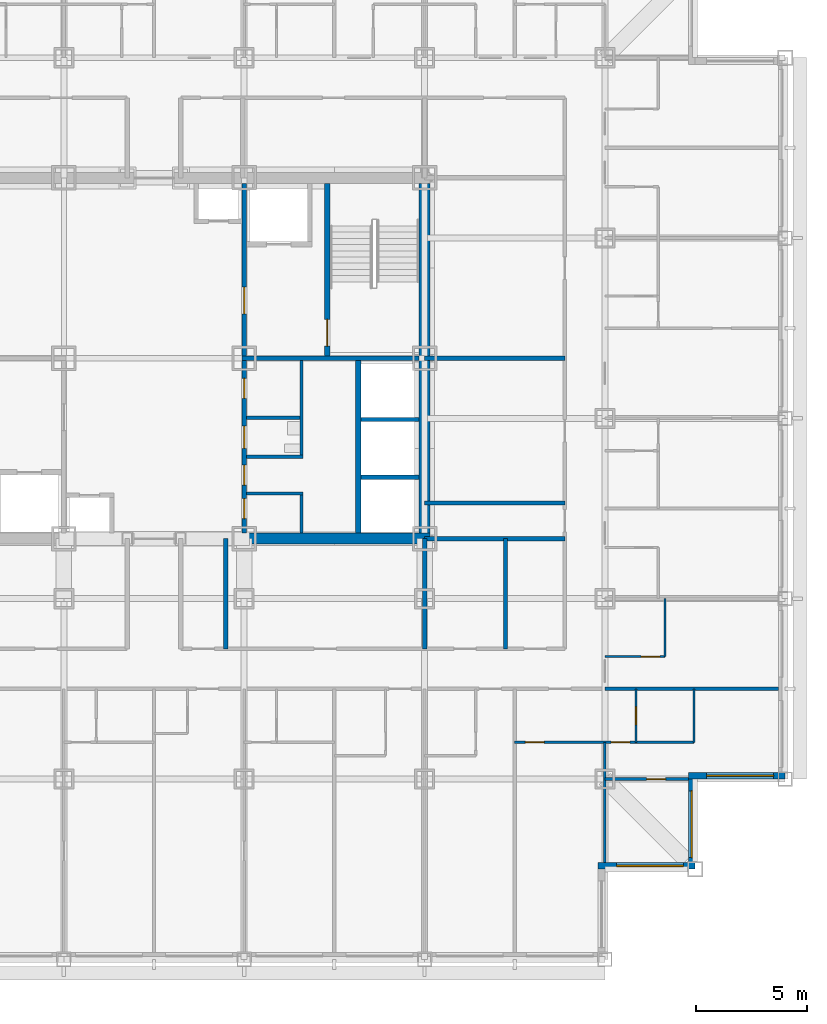
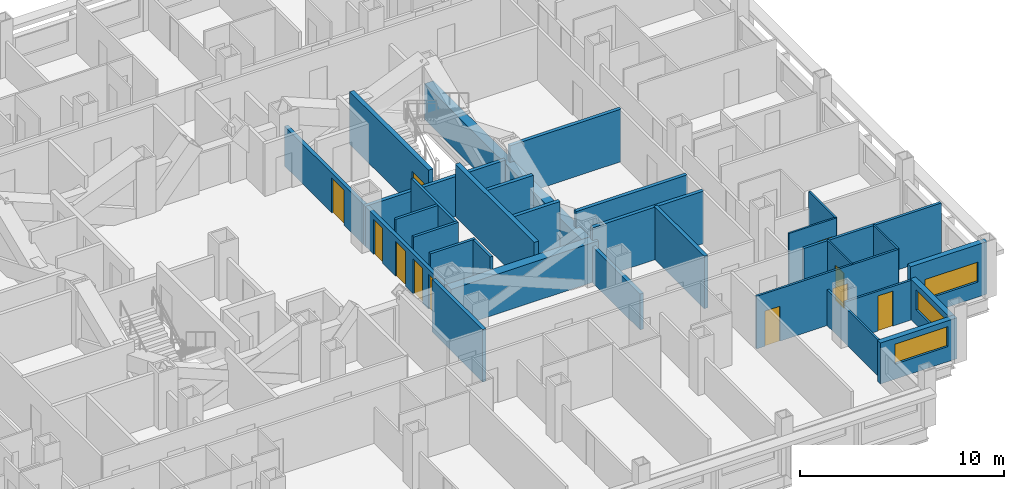
# One storey, part 8 of 15: 31 walls, 11 doors, 3 windows, 14 openings.
"""IFC4 building model written with IfcOpenShell, lengths in metres."""

import ifcopenshell
import ifcopenshell.guid

model = None  # the IFC model being written
_history = None  # IfcOwnerHistory: only IFC2X3 demands one
_inside = {}  # id of a spatial element -> (the spatial element, [elements in it])
_under = {}  # id of a project, library or spatial element -> (it, [spatial elements below it])
_declared = {}  # id of a project -> (the project, [libraries it declares])
_typed = {}  # id of a type object -> (the type object, [elements of that type])
_made_of = {}  # id of a material, layer set ... -> (it, [elements and type objects made of it])


def new_model(schema):
    """Start an empty IFC model of exactly this schema.

    Asked for "IFC4X3", IfcOpenShell would pick the latest addendum, in which some entities
    have other attributes; the version numbers below select the first issue.
    IFC2X3 requires an IfcOwnerHistory on every rooted entity: one is made here for all.
    """
    global model, _history
    if schema == "IFC4X3":
        model = ifcopenshell.file(schema_version=(4, 3, 0, 0))
    else:
        model = ifcopenshell.file(schema=schema)
    _inside.clear()
    _under.clear()
    _declared.clear()
    _typed.clear()
    _made_of.clear()
    _history = None
    if model.schema == "IFC2X3":
        org = make("IfcOrganization", Name="unknown")
        user = make(
            "IfcPersonAndOrganization",
            ThePerson=make("IfcPerson", FamilyName="unknown"),
            TheOrganization=org,
        )
        app = make(
            "IfcApplication",
            ApplicationDeveloper=org,
            Version="unknown",
            ApplicationFullName="unknown",
            ApplicationIdentifier="unknown",
        )
        _history = make(
            "IfcOwnerHistory",
            OwningUser=user,
            OwningApplication=app,
            ChangeAction="ADDED",
            CreationDate=0,
        )
    return model


def make(cls, **values):
    """One entity of the class cls with the attributes given. An attribute that is None is left unset."""
    return model.create_entity(
        cls, **{name: value for name, value in values.items() if value is not None}
    )


def rooted(cls, **values):
    """An entity with a GlobalId (a new one), such as an element, a storey or a relation."""
    return make(cls, GlobalId=ifcopenshell.guid.new(), OwnerHistory=_history, **values)


def si_unit(unit_type, name, prefix=None):
    """IfcSIUnit, for example si_unit("LENGTHUNIT", "METRE", prefix="MILLI")."""
    return make("IfcSIUnit", UnitType=unit_type, Prefix=prefix, Name=name)


def assignment(units):
    """IfcUnitAssignment: the units of a project."""
    return None if units is None else make("IfcUnitAssignment", Units=units)


def point(xyz):
    """IfcCartesianPoint."""
    return None if xyz is None else make("IfcCartesianPoint", Coordinates=xyz)


def direction(xyz):
    """IfcDirection."""
    return None if xyz is None else make("IfcDirection", DirectionRatios=xyz)


def frame(location, z_axis=None, x_axis=None):
    """IfcAxis2Placement3D, a coordinate frame: its origin and axes. An axis left out is left unset."""
    return make(
        "IfcAxis2Placement3D",
        Location=point(location),
        Axis=direction(z_axis),
        RefDirection=direction(x_axis),
    )


def frame_2d(location, x_axis=None):
    """IfcAxis2Placement2D, a coordinate frame in the plane: its origin and x axis."""
    return make(
        "IfcAxis2Placement2D", Location=point(location), RefDirection=direction(x_axis)
    )


def origin():
    """The frame at (0, 0, 0) with its axes left unset."""
    return frame((0.0, 0.0, 0.0))


def place(relative_to, where):
    """IfcLocalPlacement: puts the frame where relative to a parent placement (None: the world)."""
    return make(
        "IfcLocalPlacement", PlacementRelTo=relative_to, RelativePlacement=where
    )


def context(
    kind, dimensions, precision=None, world=None, true_north=None, identifier=None
):
    """IfcGeometricRepresentationContext, for example the 3D "Model" context."""
    return make(
        "IfcGeometricRepresentationContext",
        ContextIdentifier=identifier,
        ContextType=kind,
        CoordinateSpaceDimension=dimensions,
        Precision=precision,
        WorldCoordinateSystem=world,
        TrueNorth=true_north,
    )


def subcontext(parent, identifier, kind, view, scale=None):
    """IfcGeometricRepresentationSubContext, for example "Body" below "Model"."""
    return make(
        "IfcGeometricRepresentationSubContext",
        ContextIdentifier=identifier,
        ContextType=kind,
        ParentContext=parent,
        TargetScale=scale,
        TargetView=view,
    )


def project(units=None, contexts=None):
    """IfcProject with its units and contexts."""
    return rooted(
        "IfcProject",
        Name="project",
        RepresentationContexts=contexts,
        UnitsInContext=assignment(units),
    )


def spatial(cls, under=None, at=None, **own):
    """A site, building, storey or space (cls), placed at a placement, below another one or the project."""
    s = rooted(cls, ObjectPlacement=at, **own)
    if under is not None:
        _under.setdefault(under.id(), (under, []))[1].append(s)
    return s


def profile(cls, at=None, kind="AREA", **sizes):
    """A parametric profile (cls). Its sizes go by their IFC names, for example OverallWidth=200.0."""
    return make(cls, ProfileType=kind, Position=at, **sizes)


def rectangle(**sizes):
    """IfcRectangleProfileDef."""
    return profile("IfcRectangleProfileDef", **sizes)


def extrude(swept, where, along, depth):
    """IfcExtrudedAreaSolid: the profile swept, set in the frame where, extruded along a direction by depth."""
    return make(
        "IfcExtrudedAreaSolid",
        SweptArea=swept,
        Position=where,
        ExtrudedDirection=direction(along),
        Depth=depth,
    )


def shape(context_of_items, identifier, shape_type, items):
    """IfcShapeRepresentation: the items that make up one representation, for example the "Body"."""
    return make(
        "IfcShapeRepresentation",
        ContextOfItems=context_of_items,
        RepresentationIdentifier=identifier,
        RepresentationType=shape_type,
        Items=items,
    )


def material(Name=None, Category=None):
    """IfcMaterial."""
    return make("IfcMaterial", Name=Name, Category=Category)


def layer(
    of_material, thickness, ventilated=None, Name=None, Category=None, Priority=None
):
    """IfcMaterialLayer: one layer of a wall or slab, of a material (None: an air gap)."""
    return make(
        "IfcMaterialLayer",
        Material=of_material,
        LayerThickness=thickness,
        IsVentilated=ventilated,
        Name=Name,
        Category=Category,
        Priority=Priority,
    )


def layer_set(layers, Name=None):
    """IfcMaterialLayerSet."""
    return make("IfcMaterialLayerSet", MaterialLayers=layers, LayerSetName=Name)


def made_of(thing, what):
    """Note that an element or type object is made of a material, layer set ...; save() writes the relation."""
    if what is not None:
        _made_of.setdefault(what.id(), (what, []))[1].append(thing)
    return thing


def type_object(cls, material=None, **own):
    """A type object (cls), such as IfcWallType, which elements share."""
    return made_of(rooted(cls, **own), material)


def element(
    cls,
    number,
    at=None,
    inside=None,
    cuts=None,
    type_object=None,
    material=None,
    context=None,
    identifier="Body",
    shape_type=None,
    held_by="IfcProductDefinitionShape",
    body=None,
    shapes=None,
    **own,
):
    """One element of the class cls, such as IfcWall. Its Tag is "e" and its number.

    at: its placement. inside: the storey or other place that contains it. cuts: it is an
    opening in that element (IfcRelVoidsElement). A single representation is given by context,
    identifier, shape_type and body (its items); several are given by shapes. held_by: the class
    of the entity that holds the representations. save() writes the other relations.
    """
    e = rooted(cls, Tag="e%d" % number, ObjectPlacement=at, **own)
    if body is not None:
        shapes = [shape(context, identifier, shape_type, body)]
    if shapes is not None:
        e.Representation = make(held_by, Representations=shapes)
    if inside is not None:
        _inside.setdefault(inside.id(), (inside, []))[1].append(e)
    if cuts is not None:
        rooted(
            "IfcRelVoidsElement", RelatingBuildingElement=cuts, RelatedOpeningElement=e
        )
    if type_object is not None:
        _typed.setdefault(type_object.id(), (type_object, []))[1].append(e)
    return made_of(e, material)


def fill(opening, filler):
    """IfcRelFillsElement: the door or window that sits in an opening."""
    return rooted(
        "IfcRelFillsElement",
        RelatingOpeningElement=opening,
        RelatedBuildingElement=filler,
    )


def aggregate(whole, parts):
    """IfcRelAggregates: a whole, such as a stair, and the parts it consists of."""
    return rooted("IfcRelAggregates", RelatingObject=whole, RelatedObjects=parts)


def save(model, path):
    """Write the relations noted so far, then the file.

    IfcRelAggregates (storeys below a building ...), IfcRelContainedInSpatialStructure (elements
    in a storey), IfcRelDefinesByType, IfcRelAssociatesMaterial and IfcRelDeclares: one each for
    every whole, place, type object, material and project.
    """
    for whole, parts in _under.values():
        aggregate(whole, parts)
    for where, things in _inside.values():
        rooted(
            "IfcRelContainedInSpatialStructure",
            RelatedElements=things,
            RelatingStructure=where,
        )
    for kind, things in _typed.values():
        rooted("IfcRelDefinesByType", RelatedObjects=things, RelatingType=kind)
    for what, things in _made_of.values():
        rooted("IfcRelAssociatesMaterial", RelatedObjects=things, RelatingMaterial=what)
    for by, libraries in _declared.values():
        rooted("IfcRelDeclares", RelatingContext=by, RelatedDefinitions=libraries)
    model.write(path)


model = new_model("IFC4")

# Units and contexts
model_context = context("Model", 3, precision=1e-05, world=origin(), true_north=direction((0.0, 1.0)))
body_context = subcontext(model_context, "Body", "Model", "MODEL_VIEW")
ifc_project = project(units=[si_unit("LENGTHUNIT", "METRE"), si_unit("AREAUNIT", "SQUARE_METRE"), si_unit("VOLUMEUNIT", "CUBIC_METRE"), si_unit("PLANEANGLEUNIT", "RADIAN"), si_unit("MASSUNIT", "GRAM", prefix="KILO")], contexts=[model_context])

# Site, building, storey
site_placement = place(None, origin())
site = spatial("IfcSite", under=ifc_project, at=site_placement, CompositionType="ELEMENT")
building_placement = place(site_placement, origin())
building = spatial("IfcBuilding", under=site, at=building_placement, Name="Kopane Lantern Tower", CompositionType="ELEMENT")
storey_placement = place(building_placement, frame((0.0, 0.0, 154.39990234375)))
storey = spatial("IfcBuildingStorey", under=building, at=storey_placement, Name="L40", CompositionType="ELEMENT", Elevation=154.39990234375)

# Wall, openings, doors
ifc_material_1 = material(Name="Gypsum board on steel studs", Category="steel")
ifc_layer_1 = layer(ifc_material_1, 0.1201171875)
ifc_layer_set_1 = layer_set([ifc_layer_1], Name="APARTMENT INTERNAL WALL 120")
wall_type_1 = type_object("IfcWallType", Name="APARTMENT INTERNAL WALL 120", PredefinedType="PARTITIONING", material=ifc_layer_set_1)
wall_1_placement = place(storey_placement, frame((44.550048828125, 15.14990234375, 0.0), z_axis=(0.0, 0.0, 1.0), x_axis=(1.0, 0.0, 0.0)))
wall_1 = element("IfcWall", 1, at=wall_1_placement, inside=storey, type_object=wall_type_1, Name="Apartment Internal Wall 120 L40", PredefinedType="PARTITIONING", context=body_context, shape_type="SweptSolid", body=[
    extrude(rectangle(XDim=8.050048828125, YDim=0.1201171875, at=frame_2d((4.02490234375, 0.0))), origin(), (0.0, 0.0, 1.0), 3.150146484375),
])
opening_1_placement = place(wall_1_placement, frame((0.47509765625, 0.0, 0.0)))
opening_1 = element("IfcOpeningElement", 2, at=opening_1_placement, cuts=wall_1, Name="Opening L40-082", PredefinedType="OPENING", context=body_context, shape_type="SweptSolid", body=[
    extrude(rectangle(XDim=0.85009765625, YDim=2.10009765625, at=frame_2d((0.425048828125, 1.050048828125))), frame((0.0, 0.070068359375, 0.0), z_axis=(0.0, -1.0, 0.0), x_axis=(1.0, 0.0, 0.0)), (0.0, 0.0, 1.0), 0.14013671875),
])
opening_2_placement = place(wall_1_placement, frame((4.324951171875, 0.0, 0.0)))
opening_2 = element("IfcOpeningElement", 3, at=opening_2_placement, cuts=wall_1, Name="Opening L40-084", PredefinedType="OPENING", context=body_context, shape_type="SweptSolid", body=[
    extrude(rectangle(XDim=0.85009765625, YDim=2.10009765625, at=frame_2d((0.425048828125, 1.050048828125))), frame((0.0, 0.070068359375, 0.0), z_axis=(0.0, -1.0, 0.0), x_axis=(1.0, 0.0, 0.0)), (0.0, 0.0, 1.0), 0.14013671875),
])
ifc_material_2 = material(Name="Timber door set", Category="wood")
door_type_1 = type_object("IfcDoorType", Name="DOOR D4 850x2100", OperationType="SINGLE_SWING_LEFT", PredefinedType="DOOR", material=ifc_material_2)
door_1_placement = place(opening_1_placement, origin())
door_1 = element("IfcDoor", 4, at=door_1_placement, inside=storey, type_object=door_type_1, Name="Door L40-082", OperationType="SINGLE_SWING_LEFT", OverallHeight=2.10009765625, OverallWidth=0.85009765625, PredefinedType="DOOR", context=body_context, shape_type="SweptSolid", body=[
    extrude(rectangle(XDim=0.85009765625, YDim=2.10009765625, at=frame_2d((0.425048828125, 1.050048828125))), frame((0.0, 0.02490234375, 0.0), z_axis=(0.0, -1.0, 0.0), x_axis=(1.0, 0.0, 0.0)), (0.0, 0.0, 1.0), 0.050048828125),
])
fill(opening_1, door_1)
door_2_placement = place(opening_2_placement, origin())
door_2 = element("IfcDoor", 5, at=door_2_placement, inside=storey, type_object=door_type_1, Name="Door L40-084", OperationType="SINGLE_SWING_RIGHT", OverallHeight=2.10009765625, OverallWidth=0.85009765625, PredefinedType="DOOR", context=body_context, shape_type="SweptSolid", body=[
    extrude(rectangle(XDim=0.85009765625, YDim=2.10009765625, at=frame_2d((0.425048828125, 1.050048828125))), frame((0.0, 0.02490234375, 0.0), z_axis=(0.0, -1.0, 0.0), x_axis=(1.0, 0.0, 0.0)), (0.0, 0.0, 1.0), 0.050048828125),
])
fill(opening_2, door_2)

# Wall
wall_2_placement = place(storey_placement, frame((48.60009765625, 15.14990234375, 0.0), z_axis=(0.0, 0.0, 1.0), x_axis=(0.0, -1.0, 0.0)))
element("IfcWall", 6, at=wall_2_placement, inside=storey, type_object=wall_type_1, Name="Apartment Internal Wall 120 L40", PredefinedType="PARTITIONING", context=body_context, shape_type="SweptSolid", body=[
    extrude(rectangle(XDim=5.39990234375, YDim=0.1201171875, at=frame_2d((2.699951171875, 0.0))), origin(), (0.0, 0.0, 1.0), 2.150146484375),
])

# Wall, opening, door
wall_3_placement = place(storey_placement, frame((48.60009765625, 13.5, 0.0), z_axis=(0.0, 0.0, 1.0), x_axis=(1.0, 0.0, 0.0)))
wall_3 = element("IfcWall", 7, at=wall_3_placement, inside=storey, type_object=wall_type_1, Name="Apartment Internal Wall 120 L40", PredefinedType="PARTITIONING", context=body_context, shape_type="SweptSolid", body=[
    extrude(rectangle(XDim=3.75, YDim=0.1201171875, at=frame_2d((1.875, 0.0))), origin(), (0.0, 0.0, 1.0), 2.38037109375),
])
opening_3_placement = place(wall_3_placement, frame((1.875, 0.0, 0.0)))
opening_3 = element("IfcOpeningElement", 8, at=opening_3_placement, cuts=wall_3, Name="Opening L40-085", PredefinedType="OPENING", context=body_context, shape_type="SweptSolid", body=[
    extrude(rectangle(XDim=0.85009765625, YDim=2.10009765625, at=frame_2d((0.425048828125, 1.050048828125))), frame((0.0, 0.070068359375, 0.0), z_axis=(0.0, -1.0, 0.0), x_axis=(1.0, 0.0, 0.0)), (0.0, 0.0, 1.0), 0.14013671875),
])
door_3_placement = place(opening_3_placement, origin())
door_3 = element("IfcDoor", 9, at=door_3_placement, inside=storey, type_object=door_type_1, Name="Door L40-085", OperationType="SINGLE_SWING_LEFT", OverallHeight=2.10009765625, OverallWidth=0.85009765625, PredefinedType="DOOR", context=body_context, shape_type="SweptSolid", body=[
    extrude(rectangle(XDim=0.85009765625, YDim=2.10009765625, at=frame_2d((0.425048828125, 1.050048828125))), frame((0.0, 0.02490234375, 0.0), z_axis=(0.0, -1.0, 0.0), x_axis=(1.0, 0.0, 0.0)), (0.0, 0.0, 1.0), 0.050048828125),
])
fill(opening_3, door_3)

# Wall
ifc_material_3 = material(Name="Moisture-resistant board on steel studs", Category="steel")
ifc_layer_2 = layer(ifc_material_3, 0.10009765625)
ifc_layer_set_2 = layer_set([ifc_layer_2], Name="BATHROOM WALL 100")
wall_type_2 = type_object("IfcWallType", Name="BATHROOM WALL 100", PredefinedType="PARTITIONING", material=ifc_layer_set_2)
wall_4_placement = place(storey_placement, frame((51.300048828125, 19.0, 0.0), z_axis=(0.0, 0.0, 1.0), x_axis=(0.0, 1.0, 0.0)))
element("IfcWall", 10, at=wall_4_placement, inside=storey, type_object=wall_type_2, Name="Bathroom Wall 100 L40", PredefinedType="PARTITIONING", context=body_context, shape_type="SweptSolid", body=[
    extrude(rectangle(XDim=2.60009765625, YDim=0.10009765625, at=frame_2d((1.300048828125, 0.0))), origin(), (0.0, 0.0, 1.0), 3.150146484375),
])

# Wall, opening, door
wall_5_placement = place(storey_placement, frame((48.60009765625, 19.0, 0.0), z_axis=(0.0, 0.0, 1.0), x_axis=(1.0, 0.0, 0.0)))
wall_5 = element("IfcWall", 11, at=wall_5_placement, inside=storey, type_object=wall_type_2, Name="Bathroom Wall 100 L40", PredefinedType="PARTITIONING", context=body_context, shape_type="SweptSolid", body=[
    extrude(rectangle(XDim=2.699951171875, YDim=0.10009765625, at=frame_2d((1.35009765625, 0.0))), origin(), (0.0, 0.0, 1.0), 3.150146484375),
])
opening_4_placement = place(wall_5_placement, frame((1.625, 0.0, 0.0)))
opening_4 = element("IfcOpeningElement", 12, at=opening_4_placement, cuts=wall_5, Name="Opening L40-063", PredefinedType="OPENING", context=body_context, shape_type="SweptSolid", body=[
    extrude(rectangle(XDim=0.85009765625, YDim=2.10009765625, at=frame_2d((0.425048828125, 1.050048828125))), frame((0.0, 0.06005859375, 0.0), z_axis=(0.0, -1.0, 0.0), x_axis=(1.0, 0.0, 0.0)), (0.0, 0.0, 1.0), 0.1201171875),
])
door_4_placement = place(opening_4_placement, origin())
door_4 = element("IfcDoor", 13, at=door_4_placement, inside=storey, type_object=door_type_1, Name="Door L40-063", OperationType="SINGLE_SWING_RIGHT", OverallHeight=2.10009765625, OverallWidth=0.85009765625, PredefinedType="DOOR", context=body_context, shape_type="SweptSolid", body=[
    extrude(rectangle(XDim=0.85009765625, YDim=2.10009765625, at=frame_2d((0.425048828125, 1.050048828125))), frame((0.0, 0.02490234375, 0.0), z_axis=(0.0, -1.0, 0.0), x_axis=(1.0, 0.0, 0.0)), (0.0, 0.0, 1.0), 0.050048828125),
])
fill(opening_4, door_4)

wall_6_placement = place(storey_placement, frame((50.0, 17.550048828125, 0.0), z_axis=(0.0, 0.0, 1.0), x_axis=(0.0, -1.0, 0.0)))
wall_6 = element("IfcWall", 14, at=wall_6_placement, inside=storey, type_object=wall_type_2, Name="Bathroom Wall 100 L40", PredefinedType="PARTITIONING", context=body_context, shape_type="SweptSolid", body=[
    extrude(rectangle(XDim=2.400146484375, YDim=0.10009765625, at=frame_2d((1.2001953125, 0.0))), origin(), (0.0, 0.0, 1.0), 3.150146484375),
])
opening_5_placement = place(wall_6_placement, frame((0.800048828125, 0.0, 0.0)))
opening_5 = element("IfcOpeningElement", 15, at=opening_5_placement, cuts=wall_6, Name="Opening L40-083", PredefinedType="OPENING", context=body_context, shape_type="SweptSolid", body=[
    extrude(rectangle(XDim=0.800048828125, YDim=2.10009765625, at=frame_2d((0.39990234375, 1.050048828125))), frame((0.0, 0.06005859375, 0.0), z_axis=(0.0, -1.0, 0.0), x_axis=(1.0, 0.0, 0.0)), (0.0, 0.0, 1.0), 0.1201171875),
])
ifc_material_4 = material(Name="Timber door set", Category="wood")
door_type_2 = type_object("IfcDoorType", Name="DOOR D2 800x2100", OperationType="SINGLE_SWING_LEFT", PredefinedType="DOOR", material=ifc_material_4)
door_5_placement = place(opening_5_placement, origin())
door_5 = element("IfcDoor", 16, at=door_5_placement, inside=storey, type_object=door_type_2, Name="Door L40-083", OperationType="SINGLE_SWING_LEFT", OverallHeight=2.10009765625, OverallWidth=0.800048828125, PredefinedType="DOOR", context=body_context, shape_type="SweptSolid", body=[
    extrude(rectangle(XDim=0.800048828125, YDim=2.10009765625, at=frame_2d((0.39990234375, 1.050048828125))), frame((0.0, 0.02490234375, 0.0), z_axis=(0.0, -1.0, 0.0), x_axis=(1.0, 0.0, 0.0)), (0.0, 0.0, 1.0), 0.050048828125),
])
fill(opening_5, door_5)

# Walls
wall_7_placement = place(storey_placement, frame((52.60009765625, 17.550048828125, 0.0), z_axis=(0.0, 0.0, 1.0), x_axis=(0.0, -1.0, 0.0)))
element("IfcWall", 17, at=wall_7_placement, inside=storey, type_object=wall_type_2, Name="Bathroom Wall 100 L40", PredefinedType="PARTITIONING", context=body_context, shape_type="SweptSolid", body=[
    extrude(rectangle(XDim=2.400146484375, YDim=0.10009765625, at=frame_2d((1.2001953125, 0.0))), origin(), (0.0, 0.0, 1.0), 3.150146484375),
])
ifc_material_5 = material(Name="Gypsum shaft wall EI 120", Category="gypsum")
ifc_layer_3 = layer(ifc_material_5, 0.5)
ifc_layer_set_3 = layer_set([ifc_layer_3], Name="CORE PERIMETER WALL 500 EI 120")
wall_type_3 = type_object("IfcWallType", Name="CORE PERIMETER WALL 500 EI 120", PredefinedType="SOLIDWALL", material=ifc_layer_set_3)
wall_8_placement = place(storey_placement, frame((32.39990234375, 24.300048828125, 0.0), z_axis=(0.0, 0.0, 1.0), x_axis=(1.0, 0.0, 0.0)))
element("IfcWall", 18, at=wall_8_placement, inside=storey, type_object=wall_type_3, Name="Core shaft wall L40 PSE", PredefinedType="SOLIDWALL", context=body_context, shape_type="SweptSolid", body=[
    extrude(rectangle(XDim=8.35009765625, YDim=0.5, at=frame_2d((4.175048828125, 0.0))), origin(), (0.0, 0.0, 1.0), 2.38037109375),
])
wall_9_placement = place(storey_placement, frame((40.5, 24.550048828125, 0.0), z_axis=(0.0, 0.0, 1.0), x_axis=(0.0, 1.0, 0.0)))
element("IfcWall", 19, at=wall_9_placement, inside=storey, type_object=wall_type_3, Name="Core shaft wall L40 PE", PredefinedType="SOLIDWALL", context=body_context, shape_type="SweptSolid", body=[
    extrude(rectangle(XDim=15.699951171875, YDim=0.5, at=frame_2d((7.85009765625, 0.0))), origin(), (0.0, 0.0, 1.0), 2.150146484375),
])
ifc_material_6 = material(Name="Gypsum partition EI 60", Category="gypsum")
ifc_layer_4 = layer(ifc_material_6, 0.14990234375)
ifc_layer_set_4 = layer_set([ifc_layer_4], Name="CORE ROOM PARTITION 150 EI 60")
wall_type_4 = type_object("IfcWallType", Name="CORE ROOM PARTITION 150 EI 60", PredefinedType="PARTITIONING", material=ifc_layer_set_4)
for number, where, z_axis, x_axis, name in (
    (20, (32.5, 26.324951171875, 0.0), (0.0, 0.0, 1.0), (1.0, 0.0, 0.0), "Core room partition L40 E1"),
    (21, (32.5, 27.97509765625, 0.0), (0.0, 0.0, 1.0), (1.0, 0.0, 0.0), "Core room partition L40 E2"),
):
    element("IfcWall", number, at=place(storey_placement, frame(where, z_axis=z_axis, x_axis=x_axis)), inside=storey, type_object=wall_type_4, Name=name, PredefinedType="PARTITIONING", context=body_context, shape_type="SweptSolid", body=[
        extrude(rectangle(XDim=2.550048828125, YDim=0.14990234375, at=frame_2d((1.27490234375, 0.0))), origin(), (0.0, 0.0, 1.0), 3.150146484375),
    ])
wall_10_placement = place(storey_placement, frame((32.5, 29.72509765625, 0.0), z_axis=(0.0, 0.0, 1.0), x_axis=(1.0, 0.0, 0.0)))
element("IfcWall", 22, at=wall_10_placement, inside=storey, type_object=wall_type_4, Name="Core room partition L40 E3", PredefinedType="PARTITIONING", context=body_context, shape_type="SweptSolid", body=[
    extrude(rectangle(XDim=2.39990234375, YDim=0.14990234375, at=frame_2d((1.199951171875, 0.0))), origin(), (0.0, 0.0, 1.0), 3.150146484375),
])
wall_11_placement = place(storey_placement, frame((34.97509765625, 24.550048828125, 0.0), z_axis=(0.0, 0.0, 1.0), x_axis=(0.0, 1.0, 0.0)))
element("IfcWall", 23, at=wall_11_placement, inside=storey, type_object=wall_type_4, Name="Core room partition L40 EB0", PredefinedType="PARTITIONING", context=body_context, shape_type="SweptSolid", body=[
    extrude(rectangle(XDim=1.699951171875, YDim=0.14990234375, at=frame_2d((0.85009765625, 0.0))), origin(), (0.0, 0.0, 1.0), 3.150146484375),
])
wall_12_placement = place(storey_placement, frame((34.97509765625, 28.050048828125, 0.0), z_axis=(0.0, 0.0, 1.0), x_axis=(0.0, 1.0, 0.0)))
element("IfcWall", 24, at=wall_12_placement, inside=storey, type_object=wall_type_4, Name="Core room partition L40 EB1", PredefinedType="PARTITIONING", context=body_context, shape_type="SweptSolid", body=[
    extrude(rectangle(XDim=4.25, YDim=0.14990234375, at=frame_2d((2.125, 0.0))), origin(), (0.0, 0.0, 1.0), 3.150146484375),
])

# Wall, openings, doors
ifc_material_7 = material(Name="Gypsum partition EI 60", Category="gypsum")
ifc_layer_5 = layer(ifc_material_7, 0.199951171875)
ifc_layer_set_5 = layer_set([ifc_layer_5], Name="CORE ROOM WALL 200 EI 60")
wall_type_5 = type_object("IfcWallType", Name="CORE ROOM WALL 200 EI 60", PredefinedType="PARTITIONING", material=ifc_layer_set_5)
wall_13_placement = place(storey_placement, frame((32.39990234375, 24.550048828125, 0.0), z_axis=(0.0, 0.0, 1.0), x_axis=(0.0, 1.0, 0.0)))
wall_13 = element("IfcWall", 25, at=wall_13_placement, inside=storey, type_object=wall_type_5, Name="Core room wall L40 XE", PredefinedType="PARTITIONING", context=body_context, shape_type="SweptSolid", body=[
    extrude(rectangle(XDim=7.75, YDim=0.199951171875, at=frame_2d((3.875, 0.0))), origin(), (0.0, 0.0, 1.0), 2.387939453125),
])
opening_6_placement = place(wall_13_placement, frame((0.64990234375, 0.0, 0.0)))
opening_6 = element("IfcOpeningElement", 26, at=opening_6_placement, cuts=wall_13, Name="Opening 40.C20", PredefinedType="OPENING", context=body_context, shape_type="SweptSolid", body=[
    extrude(rectangle(XDim=0.89990234375, YDim=2.10009765625, at=frame_2d((0.449951171875, 1.050048828125))), frame((0.0, 0.10986328125, 0.0), z_axis=(0.0, -1.0, 0.0), x_axis=(1.0, 0.0, 0.0)), (0.0, 0.0, 1.0), 0.219970703125),
])
opening_7_placement = place(wall_13_placement, frame((2.14990234375, 0.0, 0.0)))
opening_7 = element("IfcOpeningElement", 27, at=opening_7_placement, cuts=wall_13, Name="Opening 40.C21", PredefinedType="OPENING", context=body_context, shape_type="SweptSolid", body=[
    extrude(rectangle(XDim=0.89990234375, YDim=2.10009765625, at=frame_2d((0.449951171875, 1.050048828125))), frame((0.0, 0.10986328125, 0.0), z_axis=(0.0, -1.0, 0.0), x_axis=(1.0, 0.0, 0.0)), (0.0, 0.0, 1.0), 0.219970703125),
])
opening_8_placement = place(wall_13_placement, frame((3.800048828125, 0.0, 0.0)))
opening_8 = element("IfcOpeningElement", 28, at=opening_8_placement, cuts=wall_13, Name="Opening 40.C22", PredefinedType="OPENING", context=body_context, shape_type="SweptSolid", body=[
    extrude(rectangle(XDim=1.0, YDim=2.10009765625, at=frame_2d((0.5, 1.050048828125))), frame((0.0, 0.10986328125, 0.0), z_axis=(0.0, -1.0, 0.0), x_axis=(1.0, 0.0, 0.0)), (0.0, 0.0, 1.0), 0.219970703125),
])
opening_9_placement = place(wall_13_placement, frame((6.050048828125, 0.0, 0.0)))
opening_9 = element("IfcOpeningElement", 29, at=opening_9_placement, cuts=wall_13, Name="Opening 40.C23", PredefinedType="OPENING", context=body_context, shape_type="SweptSolid", body=[
    extrude(rectangle(XDim=0.89990234375, YDim=2.10009765625, at=frame_2d((0.449951171875, 1.050048828125))), frame((0.0, 0.10986328125, 0.0), z_axis=(0.0, -1.0, 0.0), x_axis=(1.0, 0.0, 0.0)), (0.0, 0.0, 1.0), 0.219970703125),
])
ifc_material_8 = material(Name="Steel door set", Category="steel")
door_type_3 = type_object("IfcDoorType", Name="CORE ROOM DOOR 1000x2100 FD30S", OperationType="SINGLE_SWING_RIGHT", PredefinedType="DOOR", material=ifc_material_8)
door_6_placement = place(opening_8_placement, origin())
door_6 = element("IfcDoor", 30, at=door_6_placement, inside=storey, type_object=door_type_3, Name="Door Staff WC L40", OperationType="SINGLE_SWING_RIGHT", OverallHeight=2.10009765625, OverallWidth=1.0, PredefinedType="DOOR", context=body_context, shape_type="SweptSolid", body=[
    extrude(rectangle(XDim=1.0, YDim=2.10009765625, at=frame_2d((0.5, 1.050048828125))), frame((0.0, 0.02490234375, 0.0), z_axis=(0.0, -1.0, 0.0), x_axis=(1.0, 0.0, 0.0)), (0.0, 0.0, 1.0), 0.050048828125),
])
fill(opening_8, door_6)
ifc_material_9 = material(Name="Steel door set", Category="steel")
door_type_4 = type_object("IfcDoorType", Name="CORE ROOM DOOR 900x2100 FD60", OperationType="SINGLE_SWING_LEFT", PredefinedType="DOOR", material=ifc_material_9)
door_7_placement = place(opening_6_placement, origin())
door_7 = element("IfcDoor", 31, at=door_7_placement, inside=storey, type_object=door_type_4, Name="Door Cleaner store L40", OperationType="SINGLE_SWING_LEFT", OverallHeight=2.10009765625, OverallWidth=0.89990234375, PredefinedType="DOOR", context=body_context, shape_type="SweptSolid", body=[
    extrude(rectangle(XDim=0.89990234375, YDim=2.10009765625, at=frame_2d((0.449951171875, 1.050048828125))), frame((0.0, 0.02490234375, 0.0), z_axis=(0.0, -1.0, 0.0), x_axis=(1.0, 0.0, 0.0)), (0.0, 0.0, 1.0), 0.050048828125),
])
fill(opening_6, door_7)
door_8_placement = place(opening_7_placement, origin())
door_8 = element("IfcDoor", 32, at=door_8_placement, inside=storey, type_object=door_type_4, Name="Door Housekeeping store L40", OperationType="SINGLE_SWING_LEFT", OverallHeight=2.10009765625, OverallWidth=0.89990234375, PredefinedType="DOOR", context=body_context, shape_type="SweptSolid", body=[
    extrude(rectangle(XDim=0.89990234375, YDim=2.10009765625, at=frame_2d((0.449951171875, 1.050048828125))), frame((0.0, 0.02490234375, 0.0), z_axis=(0.0, -1.0, 0.0), x_axis=(1.0, 0.0, 0.0)), (0.0, 0.0, 1.0), 0.050048828125),
])
fill(opening_7, door_8)
door_9_placement = place(opening_9_placement, origin())
door_9 = element("IfcDoor", 33, at=door_9_placement, inside=storey, type_object=door_type_4, Name="Door IT room L40", OperationType="SINGLE_SWING_LEFT", OverallHeight=2.10009765625, OverallWidth=0.89990234375, PredefinedType="DOOR", context=body_context, shape_type="SweptSolid", body=[
    extrude(rectangle(XDim=0.89990234375, YDim=2.10009765625, at=frame_2d((0.449951171875, 1.050048828125))), frame((0.0, 0.02490234375, 0.0), z_axis=(0.0, -1.0, 0.0), x_axis=(1.0, 0.0, 0.0)), (0.0, 0.0, 1.0), 0.050048828125),
])
fill(opening_9, door_9)

# Wall
ifc_material_10 = material(Name="Gypsum shaft wall EI 120", Category="gypsum")
ifc_layer_6 = layer(ifc_material_10, 0.25)
ifc_layer_set_6 = layer_set([ifc_layer_6], Name="CORE SHAFT WALL 250 EI 120")
wall_type_6 = type_object("IfcWallType", Name="CORE SHAFT WALL 250 EI 120", PredefinedType="SOLIDWALL", material=ifc_layer_set_6)
wall_14_placement = place(storey_placement, frame((37.52490234375, 24.550048828125, 0.0), z_axis=(0.0, 0.0, 1.0), x_axis=(0.0, 1.0, 0.0)))
element("IfcWall", 34, at=wall_14_placement, inside=storey, type_object=wall_type_6, Name="Core shaft wall L40 XLR", PredefinedType="SOLIDWALL", context=body_context, shape_type="SweptSolid", body=[
    extrude(rectangle(XDim=7.75, YDim=0.25, at=frame_2d((3.875, 0.0))), origin(), (0.0, 0.0, 1.0), 3.150146484375),
])

# Wall, opening, door
wall_15_placement = place(storey_placement, frame((36.125, 32.5, 0.0), z_axis=(0.0, 0.0, 1.0), x_axis=(0.0, 1.0, 0.0)))
wall_15 = element("IfcWall", 35, at=wall_15_placement, inside=storey, type_object=wall_type_6, Name="Core shaft wall L40 XST2", PredefinedType="SOLIDWALL", context=body_context, shape_type="SweptSolid", body=[
    extrude(rectangle(XDim=7.75, YDim=0.25, at=frame_2d((3.875, 0.0))), origin(), (0.0, 0.0, 1.0), 3.150146484375),
])
opening_10_placement = place(wall_15_placement, frame((0.449951171875, 0.0, 0.0)))
opening_10 = element("IfcOpeningElement", 36, at=opening_10_placement, cuts=wall_15, Name="Opening 40.SD2", PredefinedType="OPENING", context=body_context, shape_type="SweptSolid", body=[
    extrude(rectangle(XDim=1.199951171875, YDim=2.10009765625, at=frame_2d((0.60009765625, 1.050048828125))), frame((0.0, 0.135009765625, 0.0), z_axis=(0.0, -1.0, 0.0), x_axis=(1.0, 0.0, 0.0)), (0.0, 0.0, 1.0), 0.27001953125),
])
ifc_material_11 = material(Name="Steel door set", Category="steel")
door_type_5 = type_object("IfcDoorType", Name="STAIR DOOR 1200x2100 FD60S", OperationType="SINGLE_SWING_LEFT", PredefinedType="DOOR", material=ifc_material_11)
door_10_placement = place(opening_10_placement, origin())
door_10 = element("IfcDoor", 37, at=door_10_placement, inside=storey, type_object=door_type_5, Name="Stair door ST2 L40", OperationType="SINGLE_SWING_RIGHT", OverallHeight=2.10009765625, OverallWidth=1.199951171875, PredefinedType="DOOR", context=body_context, shape_type="SweptSolid", body=[
    extrude(rectangle(XDim=1.199951171875, YDim=2.10009765625, at=frame_2d((0.60009765625, 1.050048828125))), frame((0.0, 0.02490234375, 0.0), z_axis=(0.0, -1.0, 0.0), x_axis=(1.0, 0.0, 0.0)), (0.0, 0.0, 1.0), 0.050048828125),
])
fill(opening_10, door_10)

# Wall
ifc_material_12 = material(Name="Gypsum board on steel studs", Category="steel")
ifc_layer_7 = layer(ifc_material_12, 0.14990234375)
ifc_layer_set_7 = layer_set([ifc_layer_7], Name="DEMISING WALL 150 EI 60")
wall_type_7 = type_object("IfcWallType", Name="DEMISING WALL 150 EI 60", PredefinedType="PARTITIONING", material=ifc_layer_set_7)
wall_16_placement = place(storey_placement, frame((48.60009765625, 17.550048828125, 0.0), z_axis=(0.0, 0.0, 1.0), x_axis=(1.0, 0.0, 0.0)))
element("IfcWall", 38, at=wall_16_placement, inside=storey, type_object=wall_type_7, Name="Demising Wall 150 Ei 60 L40", PredefinedType="PARTITIONING", context=body_context, shape_type="SweptSolid", body=[
    extrude(rectangle(XDim=7.7998046875, YDim=0.14990234375, at=frame_2d((3.89990234375, 0.0))), origin(), (0.0, 0.0, 1.0), 3.150146484375),
])

# Wall, opening, window
ifc_material_13 = material(Name="Terracotta rainscreen on light steel framing", Category="masonry")
ifc_layer_8 = layer(ifc_material_13, 0.300048828125)
ifc_layer_set_8 = layer_set([ifc_layer_8], Name="EXTERNAL WALL EW1 300 TERRACOTTA")
wall_type_8 = type_object("IfcWallType", Name="EXTERNAL WALL EW1 300 TERRACOTTA", PredefinedType="SOLIDWALL", material=ifc_layer_set_8)
wall_17_placement = place(storey_placement, frame((48.300048828125, 9.60009765625, 0.0), z_axis=(0.0, 0.0, 1.0), x_axis=(1.0, 0.0, 0.0)))
wall_17 = element("IfcWall", 39, at=wall_17_placement, inside=storey, type_object=wall_type_8, Name="External wall S L40", PredefinedType="SOLIDWALL", context=body_context, shape_type="SweptSolid", body=[
    extrude(rectangle(XDim=4.349853515625, YDim=0.300048828125, at=frame_2d((2.1748046875, 0.0))), origin(), (0.0, 0.0, 1.0), 2.4501953125),
])
opening_11_placement = place(wall_17_placement, frame((0.824951171875, 0.0, 0.89990234375)))
opening_11 = element("IfcOpeningElement", 40, at=opening_11_placement, cuts=wall_17, Name="Opening WR300120", PredefinedType="OPENING", context=body_context, shape_type="SweptSolid", body=[
    extrude(rectangle(XDim=3.0, YDim=1.199951171875, at=frame_2d((1.5, 0.60009765625))), frame((0.0, 0.159912109375, 0.0), z_axis=(0.0, -1.0, 0.0), x_axis=(1.0, 0.0, 0.0)), (0.0, 0.0, 1.0), 0.320068359375),
])
ifc_material_14 = material(Name="Aluminium and clear glass", Category="aluminium")
window_type = type_object("IfcWindowType", Name="RIBBON WINDOW WR300120 3000x1200", PartitioningType="SINGLE_PANEL", PredefinedType="WINDOW", material=ifc_material_14)
window_1_placement = place(opening_11_placement, origin())
window_1 = element("IfcWindow", 41, at=window_1_placement, inside=storey, type_object=window_type, Name="Window S L40", OverallHeight=1.199951171875, OverallWidth=3.0, PartitioningType="SINGLE_PANEL", PredefinedType="WINDOW", context=body_context, shape_type="SweptSolid", body=[
    extrude(rectangle(XDim=3.0, YDim=1.199951171875, at=frame_2d((1.5, 0.60009765625))), frame((0.0, 0.030029296875, 0.0), z_axis=(0.0, -1.0, 0.0), x_axis=(1.0, 0.0, 0.0)), (0.0, 0.0, 1.0), 0.06005859375),
])
fill(opening_11, window_1)

wall_18_placement = place(storey_placement, frame((52.5, 9.75, 0.0), z_axis=(0.0, 0.0, 1.0), x_axis=(0.0, 1.0, 0.0)))
wall_18 = element("IfcWall", 42, at=wall_18_placement, inside=storey, type_object=wall_type_8, Name="External wall E L40", PredefinedType="SOLIDWALL", context=body_context, shape_type="SweptSolid", body=[
    extrude(rectangle(XDim=3.75, YDim=0.300048828125, at=frame_2d((1.875, 0.0))), origin(), (0.0, 0.0, 1.0), 2.4501953125),
])
opening_12_placement = place(wall_18_placement, frame((0.22509765625, 0.0, 0.89990234375)))
opening_12 = element("IfcOpeningElement", 43, at=opening_12_placement, cuts=wall_18, Name="Opening WR300120", PredefinedType="OPENING", context=body_context, shape_type="SweptSolid", body=[
    extrude(rectangle(XDim=3.0, YDim=1.199951171875, at=frame_2d((1.5, 0.60009765625))), frame((0.0, 0.159912109375, 0.0), z_axis=(0.0, -1.0, 0.0), x_axis=(1.0, 0.0, 0.0)), (0.0, 0.0, 1.0), 0.320068359375),
])
window_2_placement = place(opening_12_placement, origin())
window_2 = element("IfcWindow", 44, at=window_2_placement, inside=storey, type_object=window_type, Name="Window E L40", OverallHeight=1.199951171875, OverallWidth=3.0, PartitioningType="SINGLE_PANEL", PredefinedType="WINDOW", context=body_context, shape_type="SweptSolid", body=[
    extrude(rectangle(XDim=3.0, YDim=1.199951171875, at=frame_2d((1.5, 0.60009765625))), frame((0.0, 0.030029296875, 0.0), z_axis=(0.0, -1.0, 0.0), x_axis=(1.0, 0.0, 0.0)), (0.0, 0.0, 1.0), 0.06005859375),
])
fill(opening_12, window_2)

wall_19_placement = place(storey_placement, frame((52.35009765625, 13.64990234375, 0.0), z_axis=(0.0, 0.0, 1.0), x_axis=(1.0, 0.0, 0.0)))
wall_19 = element("IfcWall", 45, at=wall_19_placement, inside=storey, type_object=wall_type_8, Name="External wall S L40", PredefinedType="SOLIDWALL", context=body_context, shape_type="SweptSolid", body=[
    extrude(rectangle(XDim=4.349853515625, YDim=0.300048828125, at=frame_2d((2.1748046875, 0.0))), origin(), (0.0, 0.0, 1.0), 3.150146484375),
])
opening_13_placement = place(wall_19_placement, frame((0.824951171875, 0.0, 0.89990234375)))
opening_13 = element("IfcOpeningElement", 46, at=opening_13_placement, cuts=wall_19, Name="Opening WR300120", PredefinedType="OPENING", context=body_context, shape_type="SweptSolid", body=[
    extrude(rectangle(XDim=3.0, YDim=1.199951171875, at=frame_2d((1.5, 0.60009765625))), frame((0.0, 0.159912109375, 0.0), z_axis=(0.0, -1.0, 0.0), x_axis=(1.0, 0.0, 0.0)), (0.0, 0.0, 1.0), 0.320068359375),
])
window_3_placement = place(opening_13_placement, origin())
window_3 = element("IfcWindow", 47, at=window_3_placement, inside=storey, type_object=window_type, Name="Window S L40", OverallHeight=1.199951171875, OverallWidth=3.0, PartitioningType="SINGLE_PANEL", PredefinedType="WINDOW", context=body_context, shape_type="SweptSolid", body=[
    extrude(rectangle(XDim=3.0, YDim=1.199951171875, at=frame_2d((1.5, 0.60009765625))), frame((0.0, 0.030029296875, 0.0), z_axis=(0.0, -1.0, 0.0), x_axis=(1.0, 0.0, 0.0)), (0.0, 0.0, 1.0), 0.06005859375),
])
fill(opening_13, window_3)

# Walls
ifc_material_15 = material(Name="Concrete masonry", Category="masonry")
ifc_layer_9 = layer(ifc_material_15, 0.199951171875)
ifc_layer_set_9 = layer_set([ifc_layer_9], Name="PLANT ROOM WALL 200 EI 120")
wall_type_9 = type_object("IfcWallType", Name="PLANT ROOM WALL 200 EI 120", PredefinedType="SOLIDWALL", material=ifc_layer_set_9)
for number, where, z_axis, x_axis, name in (
    (48, (40.5, 32.39990234375, 0.0), (0.0, 0.0, 1.0), (1.0, 0.0, 0.0), "Plant Room Wall 200 Ei 120 L40"),
    (49, (46.800048828125, 25.89990234375, 0.0), (0.0, 0.0, 1.0), (-1.0, 0.0, 0.0), "Plant Room Wall 200 Ei 120 L40"),
):
    element("IfcWall", number, at=place(storey_placement, frame(where, z_axis=z_axis, x_axis=x_axis)), inside=storey, type_object=wall_type_9, Name=name, PredefinedType="SOLIDWALL", context=body_context, shape_type="SweptSolid", body=[
        extrude(rectangle(XDim=6.300048828125, YDim=0.199951171875, at=frame_2d((3.14990234375, 0.0))), origin(), (0.0, 0.0, 1.0), 3.150146484375),
    ])
wall_20_placement = place(storey_placement, frame((40.5, 19.35009765625, 0.0), z_axis=(0.0, 0.0, 1.0), x_axis=(0.0, 1.0, 0.0)))
element("IfcWall", 50, at=wall_20_placement, inside=storey, type_object=wall_type_9, Name="Plant Room Wall 200 Ei 120 L40", PredefinedType="SOLIDWALL", context=body_context, shape_type="SweptSolid", body=[
    extrude(rectangle(XDim=4.949951171875, YDim=0.199951171875, at=frame_2d((2.47509765625, 0.0))), origin(), (0.0, 0.0, 1.0), 2.150146484375),
])
for number, where, z_axis, x_axis, name in (
    (51, (31.5703125, 19.35009765625, 0.0), (0.0, 0.0, 1.0), (0.0, 1.0, 0.0), "Plant Room Wall 200 Ei 120 L40"),
    (52, (44.136474609375, 19.35009765625, 0.0), (0.0, 0.0, 1.0), (0.0, 1.0, 0.0), "Plant Room Wall 200 Ei 120 L40"),
):
    element("IfcWall", number, at=place(storey_placement, frame(where, z_axis=z_axis, x_axis=x_axis)), inside=storey, type_object=wall_type_9, Name=name, PredefinedType="SOLIDWALL", context=body_context, shape_type="SweptSolid", body=[
        extrude(rectangle(XDim=4.949951171875, YDim=0.199951171875, at=frame_2d((2.47509765625, 0.0))), origin(), (0.0, 0.0, 1.0), 3.150146484375),
    ])
wall_21_placement = place(storey_placement, frame((40.5, 24.300048828125, 0.0), z_axis=(0.0, 0.0, 1.0), x_axis=(1.0, 0.0, 0.0)))
element("IfcWall", 53, at=wall_21_placement, inside=storey, type_object=wall_type_9, Name="Plant Room Wall 200 Ei 120 L40", PredefinedType="SOLIDWALL", context=body_context, shape_type="SweptSolid", body=[
    extrude(rectangle(XDim=6.300048828125, YDim=0.199951171875, at=frame_2d((3.14990234375, 0.0))), origin(), (0.0, 0.0, 1.0), 3.150146484375),
])
ifc_material_16 = material(Name="Gypsum shaft wall EI 120", Category="gypsum")
ifc_layer_10 = layer(ifc_material_16, 0.199951171875)
ifc_layer_set_10 = layer_set([ifc_layer_10], Name="SHAFT WALL 200 EI 120")
wall_type_10 = type_object("IfcWallType", Name="SHAFT WALL 200 EI 120", PredefinedType="SOLIDWALL", material=ifc_layer_set_10)
wall_22_placement = place(storey_placement, frame((32.300048828125, 32.39990234375, 0.0), z_axis=(0.0, 0.0, 1.0), x_axis=(1.0, 0.0, 0.0)))
element("IfcWall", 54, at=wall_22_placement, inside=storey, type_object=wall_type_10, Name="Core shaft wall L40 Y324E", PredefinedType="SOLIDWALL", context=body_context, shape_type="SweptSolid", body=[
    extrude(rectangle(XDim=7.949951171875, YDim=0.199951171875, at=frame_2d((3.97509765625, 0.0))), origin(), (0.0, 0.0, 1.0), 2.387939453125),
])

# Wall, opening, door
wall_23_placement = place(storey_placement, frame((32.39990234375, 32.5, 0.0), z_axis=(0.0, 0.0, 1.0), x_axis=(0.0, 1.0, 0.0)))
wall_23 = element("IfcWall", 55, at=wall_23_placement, inside=storey, type_object=wall_type_10, Name="Core shaft wall L40 X324", PredefinedType="SOLIDWALL", context=body_context, shape_type="SweptSolid", body=[
    extrude(rectangle(XDim=7.75, YDim=0.199951171875, at=frame_2d((3.875, 0.0))), origin(), (0.0, 0.0, 1.0), 2.387939453125),
])
opening_14_placement = place(wall_23_placement, frame((1.89990234375, 0.0, 0.0)))
opening_14 = element("IfcOpeningElement", 56, at=opening_14_placement, cuts=wall_23, Name="Opening 40.FL2", PredefinedType="OPENING", context=body_context, shape_type="SweptSolid", body=[
    extrude(rectangle(XDim=1.199951171875, YDim=2.10009765625, at=frame_2d((0.60009765625, 1.050048828125))), frame((0.0, 0.10986328125, 0.0), z_axis=(0.0, -1.0, 0.0), x_axis=(1.0, 0.0, 0.0)), (0.0, 0.0, 1.0), 0.219970703125),
])
ifc_material_17 = material(Name="Steel door set", Category="steel")
door_type_6 = type_object("IfcDoorType", Name="FIREFIGHTING LOBBY DOOR 1200x2100 FD60S", OperationType="SINGLE_SWING_RIGHT", PredefinedType="DOOR", material=ifc_material_17)
door_11_placement = place(opening_14_placement, origin())
door_11 = element("IfcDoor", 57, at=door_11_placement, inside=storey, type_object=door_type_6, Name="Firefighting lobby door FL2 L40", OperationType="SINGLE_SWING_LEFT", OverallHeight=2.10009765625, OverallWidth=1.199951171875, PredefinedType="DOOR", context=body_context, shape_type="SweptSolid", body=[
    extrude(rectangle(XDim=1.199951171875, YDim=2.10009765625, at=frame_2d((0.60009765625, 1.050048828125))), frame((0.0, 0.02490234375, 0.0), z_axis=(0.0, -1.0, 0.0), x_axis=(1.0, 0.0, 0.0)), (0.0, 0.0, 1.0), 0.050048828125),
])
fill(opening_14, door_11)

# Walls
for number, where, z_axis, x_axis, name in (
    (58, (37.64990234375, 27.050048828125, 0.0), (0.0, 0.0, 1.0), (1.0, 0.0, 0.0), "Core shaft wall L40 YLR12"),
    (59, (37.64990234375, 29.64990234375, 0.0), (0.0, 0.0, 1.0), (1.0, 0.0, 0.0), "Core shaft wall L40 YLR23"),
):
    element("IfcWall", number, at=place(storey_placement, frame(where, z_axis=z_axis, x_axis=x_axis)), inside=storey, type_object=wall_type_10, Name=name, PredefinedType="SOLIDWALL", context=body_context, shape_type="SweptSolid", body=[
        extrude(rectangle(XDim=2.60009765625, YDim=0.199951171875, at=frame_2d((1.300048828125, 0.0))), origin(), (0.0, 0.0, 1.0), 3.150146484375),
    ])

save(model, "model.ifc")
